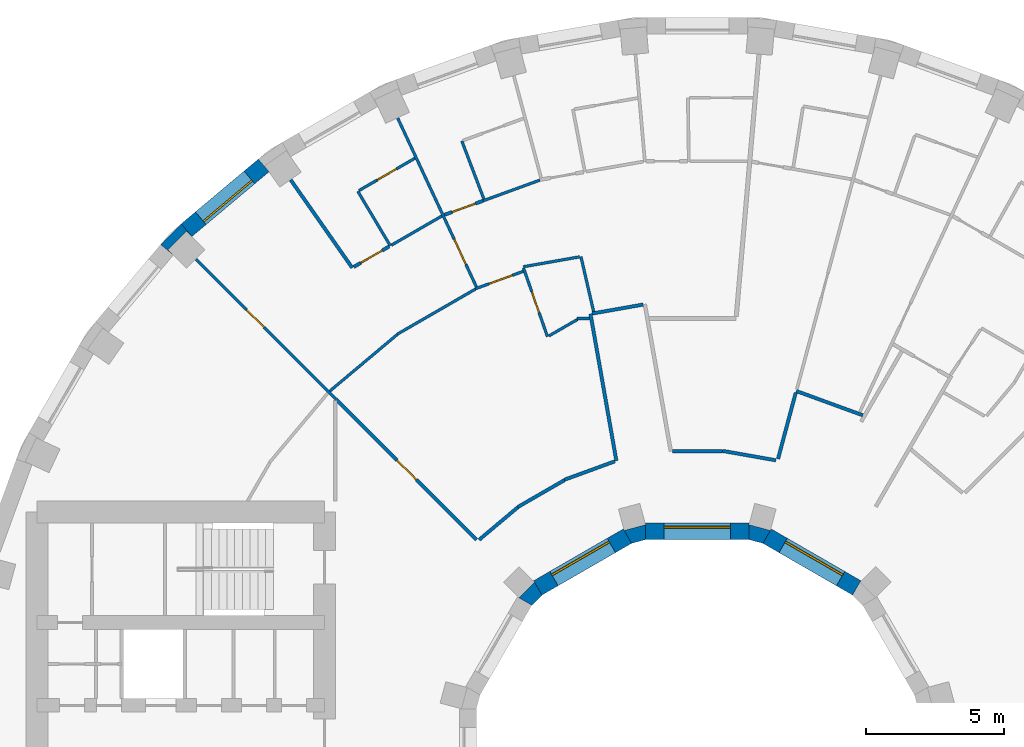
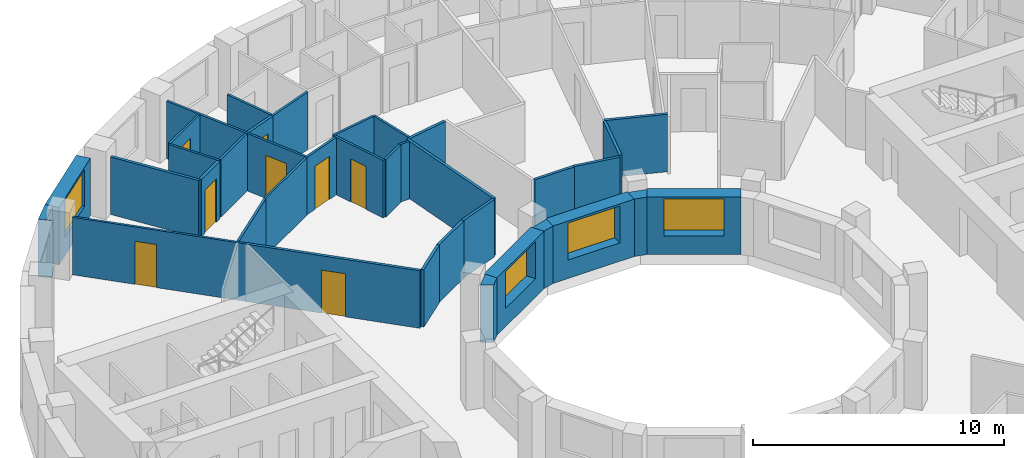
# One storey, part 11 of 16: 36 walls, 8 doors, 4 windows, 12 openings.
"""IFC4 building model written with IfcOpenShell, lengths in metres."""

import ifcopenshell
import ifcopenshell.guid

model = None  # the IFC model being written
_history = None  # IfcOwnerHistory: only IFC2X3 demands one
_inside = {}  # id of a spatial element -> (the spatial element, [elements in it])
_under = {}  # id of a project, library or spatial element -> (it, [spatial elements below it])
_declared = {}  # id of a project -> (the project, [libraries it declares])
_typed = {}  # id of a type object -> (the type object, [elements of that type])
_made_of = {}  # id of a material, layer set ... -> (it, [elements and type objects made of it])


def new_model(schema):
    """Start an empty IFC model of exactly this schema.

    Asked for "IFC4X3", IfcOpenShell would pick the latest addendum, in which some entities
    have other attributes; the version numbers below select the first issue.
    IFC2X3 requires an IfcOwnerHistory on every rooted entity: one is made here for all.
    """
    global model, _history
    if schema == "IFC4X3":
        model = ifcopenshell.file(schema_version=(4, 3, 0, 0))
    else:
        model = ifcopenshell.file(schema=schema)
    _inside.clear()
    _under.clear()
    _declared.clear()
    _typed.clear()
    _made_of.clear()
    _history = None
    if model.schema == "IFC2X3":
        org = make("IfcOrganization", Name="unknown")
        user = make(
            "IfcPersonAndOrganization",
            ThePerson=make("IfcPerson", FamilyName="unknown"),
            TheOrganization=org,
        )
        app = make(
            "IfcApplication",
            ApplicationDeveloper=org,
            Version="unknown",
            ApplicationFullName="unknown",
            ApplicationIdentifier="unknown",
        )
        _history = make(
            "IfcOwnerHistory",
            OwningUser=user,
            OwningApplication=app,
            ChangeAction="ADDED",
            CreationDate=0,
        )
    return model


def make(cls, **values):
    """One entity of the class cls with the attributes given. An attribute that is None is left unset."""
    return model.create_entity(
        cls, **{name: value for name, value in values.items() if value is not None}
    )


def rooted(cls, **values):
    """An entity with a GlobalId (a new one), such as an element, a storey or a relation."""
    return make(cls, GlobalId=ifcopenshell.guid.new(), OwnerHistory=_history, **values)


def si_unit(unit_type, name, prefix=None):
    """IfcSIUnit, for example si_unit("LENGTHUNIT", "METRE", prefix="MILLI")."""
    return make("IfcSIUnit", UnitType=unit_type, Prefix=prefix, Name=name)


def assignment(units):
    """IfcUnitAssignment: the units of a project."""
    return None if units is None else make("IfcUnitAssignment", Units=units)


def point(xyz):
    """IfcCartesianPoint."""
    return None if xyz is None else make("IfcCartesianPoint", Coordinates=xyz)


def direction(xyz):
    """IfcDirection."""
    return None if xyz is None else make("IfcDirection", DirectionRatios=xyz)


def frame(location, z_axis=None, x_axis=None):
    """IfcAxis2Placement3D, a coordinate frame: its origin and axes. An axis left out is left unset."""
    return make(
        "IfcAxis2Placement3D",
        Location=point(location),
        Axis=direction(z_axis),
        RefDirection=direction(x_axis),
    )


def frame_2d(location, x_axis=None):
    """IfcAxis2Placement2D, a coordinate frame in the plane: its origin and x axis."""
    return make(
        "IfcAxis2Placement2D", Location=point(location), RefDirection=direction(x_axis)
    )


def origin():
    """The frame at (0, 0, 0) with its axes left unset."""
    return frame((0.0, 0.0, 0.0))


def place(relative_to, where):
    """IfcLocalPlacement: puts the frame where relative to a parent placement (None: the world)."""
    return make(
        "IfcLocalPlacement", PlacementRelTo=relative_to, RelativePlacement=where
    )


def context(
    kind, dimensions, precision=None, world=None, true_north=None, identifier=None
):
    """IfcGeometricRepresentationContext, for example the 3D "Model" context."""
    return make(
        "IfcGeometricRepresentationContext",
        ContextIdentifier=identifier,
        ContextType=kind,
        CoordinateSpaceDimension=dimensions,
        Precision=precision,
        WorldCoordinateSystem=world,
        TrueNorth=true_north,
    )


def subcontext(parent, identifier, kind, view, scale=None):
    """IfcGeometricRepresentationSubContext, for example "Body" below "Model"."""
    return make(
        "IfcGeometricRepresentationSubContext",
        ContextIdentifier=identifier,
        ContextType=kind,
        ParentContext=parent,
        TargetScale=scale,
        TargetView=view,
    )


def project(units=None, contexts=None):
    """IfcProject with its units and contexts."""
    return rooted(
        "IfcProject",
        Name="project",
        RepresentationContexts=contexts,
        UnitsInContext=assignment(units),
    )


def spatial(cls, under=None, at=None, **own):
    """A site, building, storey or space (cls), placed at a placement, below another one or the project."""
    s = rooted(cls, ObjectPlacement=at, **own)
    if under is not None:
        _under.setdefault(under.id(), (under, []))[1].append(s)
    return s


def polyline(points):
    """IfcPolyline through the points."""
    return make("IfcPolyline", Points=[point(p) for p in points])


def profile(cls, at=None, kind="AREA", **sizes):
    """A parametric profile (cls). Its sizes go by their IFC names, for example OverallWidth=200.0."""
    return make(cls, ProfileType=kind, Position=at, **sizes)


def rectangle(**sizes):
    """IfcRectangleProfileDef."""
    return profile("IfcRectangleProfileDef", **sizes)


def outline(outer, holes=None, kind="AREA"):
    """IfcArbitraryClosedProfileDef: a profile drawn as a closed curve; with holes, ...WithVoids."""
    if holes is None:
        return make("IfcArbitraryClosedProfileDef", ProfileType=kind, OuterCurve=outer)
    return make(
        "IfcArbitraryProfileDefWithVoids",
        ProfileType=kind,
        OuterCurve=outer,
        InnerCurves=holes,
    )


def extrude(swept, where, along, depth):
    """IfcExtrudedAreaSolid: the profile swept, set in the frame where, extruded along a direction by depth."""
    return make(
        "IfcExtrudedAreaSolid",
        SweptArea=swept,
        Position=where,
        ExtrudedDirection=direction(along),
        Depth=depth,
    )


def shape(context_of_items, identifier, shape_type, items):
    """IfcShapeRepresentation: the items that make up one representation, for example the "Body"."""
    return make(
        "IfcShapeRepresentation",
        ContextOfItems=context_of_items,
        RepresentationIdentifier=identifier,
        RepresentationType=shape_type,
        Items=items,
    )


def material(Name=None, Category=None):
    """IfcMaterial."""
    return make("IfcMaterial", Name=Name, Category=Category)


def layer(
    of_material, thickness, ventilated=None, Name=None, Category=None, Priority=None
):
    """IfcMaterialLayer: one layer of a wall or slab, of a material (None: an air gap)."""
    return make(
        "IfcMaterialLayer",
        Material=of_material,
        LayerThickness=thickness,
        IsVentilated=ventilated,
        Name=Name,
        Category=Category,
        Priority=Priority,
    )


def layer_set(layers, Name=None):
    """IfcMaterialLayerSet."""
    return make("IfcMaterialLayerSet", MaterialLayers=layers, LayerSetName=Name)


def made_of(thing, what):
    """Note that an element or type object is made of a material, layer set ...; save() writes the relation."""
    if what is not None:
        _made_of.setdefault(what.id(), (what, []))[1].append(thing)
    return thing


def type_object(cls, material=None, **own):
    """A type object (cls), such as IfcWallType, which elements share."""
    return made_of(rooted(cls, **own), material)


def element(
    cls,
    number,
    at=None,
    inside=None,
    cuts=None,
    type_object=None,
    material=None,
    context=None,
    identifier="Body",
    shape_type=None,
    held_by="IfcProductDefinitionShape",
    body=None,
    shapes=None,
    **own,
):
    """One element of the class cls, such as IfcWall. Its Tag is "e" and its number.

    at: its placement. inside: the storey or other place that contains it. cuts: it is an
    opening in that element (IfcRelVoidsElement). A single representation is given by context,
    identifier, shape_type and body (its items); several are given by shapes. held_by: the class
    of the entity that holds the representations. save() writes the other relations.
    """
    e = rooted(cls, Tag="e%d" % number, ObjectPlacement=at, **own)
    if body is not None:
        shapes = [shape(context, identifier, shape_type, body)]
    if shapes is not None:
        e.Representation = make(held_by, Representations=shapes)
    if inside is not None:
        _inside.setdefault(inside.id(), (inside, []))[1].append(e)
    if cuts is not None:
        rooted(
            "IfcRelVoidsElement", RelatingBuildingElement=cuts, RelatedOpeningElement=e
        )
    if type_object is not None:
        _typed.setdefault(type_object.id(), (type_object, []))[1].append(e)
    return made_of(e, material)


def fill(opening, filler):
    """IfcRelFillsElement: the door or window that sits in an opening."""
    return rooted(
        "IfcRelFillsElement",
        RelatingOpeningElement=opening,
        RelatedBuildingElement=filler,
    )


def aggregate(whole, parts):
    """IfcRelAggregates: a whole, such as a stair, and the parts it consists of."""
    return rooted("IfcRelAggregates", RelatingObject=whole, RelatedObjects=parts)


def save(model, path):
    """Write the relations noted so far, then the file.

    IfcRelAggregates (storeys below a building ...), IfcRelContainedInSpatialStructure (elements
    in a storey), IfcRelDefinesByType, IfcRelAssociatesMaterial and IfcRelDeclares: one each for
    every whole, place, type object, material and project.
    """
    for whole, parts in _under.values():
        aggregate(whole, parts)
    for where, things in _inside.values():
        rooted(
            "IfcRelContainedInSpatialStructure",
            RelatedElements=things,
            RelatingStructure=where,
        )
    for kind, things in _typed.values():
        rooted("IfcRelDefinesByType", RelatedObjects=things, RelatingType=kind)
    for what, things in _made_of.values():
        rooted("IfcRelAssociatesMaterial", RelatedObjects=things, RelatingMaterial=what)
    for by, libraries in _declared.values():
        rooted("IfcRelDeclares", RelatingContext=by, RelatedDefinitions=libraries)
    model.write(path)


model = new_model("IFC4")

# Units and contexts
model_context = context("Model", 3, precision=1e-05, world=origin(), true_north=direction((0.0, 1.0)))
body_context = subcontext(model_context, "Body", "Model", "MODEL_VIEW")
ifc_project = project(units=[si_unit("LENGTHUNIT", "METRE"), si_unit("AREAUNIT", "SQUARE_METRE"), si_unit("VOLUMEUNIT", "CUBIC_METRE"), si_unit("PLANEANGLEUNIT", "RADIAN"), si_unit("MASSUNIT", "GRAM", prefix="KILO")], contexts=[model_context])

# Site, building, storey
site_placement = place(None, origin())
site = spatial("IfcSite", under=ifc_project, at=site_placement, CompositionType="ELEMENT")
building_placement = place(site_placement, origin())
building = spatial("IfcBuilding", under=site, at=building_placement, Name="Saqina Gate Tower", CompositionType="ELEMENT")
storey_placement = place(building_placement, frame((0.0, 0.0, 121.60009765625)))
storey = spatial("IfcBuildingStorey", under=building, at=storey_placement, Name="L34", CompositionType="ELEMENT", Elevation=121.60009765625)

# Wall
ifc_material_1 = material(Name="Brick masonry (buff)", Category="masonry")
wall_type_1 = type_object("IfcWallType", Name="BRICK PIER COPING BUFF", PredefinedType="SOLIDWALL", material=ifc_material_1)
wall_1_placement = place(storey_placement, origin())
element("IfcWall", 1, at=wall_1_placement, inside=storey, type_object=wall_type_1, Name="Pier cap L34 column 14", PredefinedType="SOLIDWALL", context=body_context, shape_type="SweptSolid", body=[
    extrude(outline(polyline([(-18.686279296875, 19.43212890625), (-19.43212890625, 18.686279296875), (-18.972412109375, 18.30078125), (-19.16259765625, 18.49072265625), (-18.49072265625, 19.16259765625), (-18.30078125, 18.972412109375), (-18.686279296875, 19.43212890625)])), origin(), (0.0, 0.0, 1.0), 2.7998046875),
])

# Wall, opening, window
ifc_material_2 = material(Name="Brick masonry (buff)", Category="masonry")
ifc_layer_1 = layer(ifc_material_2, 0.60009765625)
ifc_layer_set_1 = layer_set([ifc_layer_1], Name="FW-BRICK-BUFF")
wall_type_2 = type_object("IfcWallType", Name="FW-BRICK-BUFF", PredefinedType="SOLIDWALL", material=ifc_layer_set_1)
wall_2_placement = place(storey_placement, frame((-15.69921875, 21.547119140625, 0.0), z_axis=(0.0, 0.0, 1.0), x_axis=(-0.766055462616, -0.642774476932, 0.0)))
wall_2 = element("IfcWall", 2, at=wall_2_placement, inside=storey, type_object=wall_type_2, Name="Facade wall L34 facet 13", PredefinedType="SOLIDWALL", context=body_context, shape_type="SweptSolid", body=[
    extrude(rectangle(XDim=3.647705078125, YDim=0.60009765625, at=frame_2d((1.82373046875, 0.0))), origin(), (0.0, 0.0, 1.0), 2.7998046875),
])
opening_1_placement = place(wall_2_placement, frame((0.673828125, 0.0, 0.89990234375)))
opening_1 = element("IfcOpeningElement", 3, at=opening_1_placement, cuts=wall_2, Name="Opening G10-W11", PredefinedType="OPENING", context=body_context, shape_type="SweptSolid", body=[
    extrude(rectangle(XDim=2.300048828125, YDim=1.800048828125, at=frame_2d((1.14990234375, 0.89990234375))), frame((0.0, 0.31201171875, 0.0), z_axis=(0.0, -1.0, 0.0), x_axis=(1.0, 0.0, 0.0)), (0.0, 0.0, 1.0), 0.6240234375),
])
ifc_material_3 = material(Name="Aluminium glazing", Category="aluminium")
window_type_1 = type_object("IfcWindowType", Name="WN-B", PartitioningType="SINGLE_PANEL", PredefinedType="WINDOW", material=ifc_material_3)
window_1_placement = place(opening_1_placement, origin())
window_1 = element("IfcWindow", 4, at=window_1_placement, inside=storey, type_object=window_type_1, Name="Window L34 facet 13", OverallHeight=1.800048828125, OverallWidth=2.300048828125, PartitioningType="SINGLE_PANEL", PredefinedType="WINDOW", context=body_context, shape_type="SweptSolid", body=[
    extrude(rectangle(XDim=2.300048828125, YDim=1.800048828125, at=frame_2d((1.14990234375, 0.89990234375))), frame((0.0, 0.179931640625, 0.0), z_axis=(0.0, -1.0, 0.0), x_axis=(1.0, 0.0, 0.0)), (0.0, 0.0, 1.0), 0.06005859375),
])
fill(opening_1, window_1)

ifc_material_4 = material(Name="Glazed ceramic tile", Category="ceramic")
ifc_layer_2 = layer(ifc_material_4, 0.60009765625)
ifc_layer_set_2 = layer_set([ifc_layer_2], Name="IW-TILE")
wall_type_3 = type_object("IfcWallType", Name="IW-TILE", PredefinedType="SOLIDWALL", material=ifc_layer_set_2)
wall_3_placement = place(storey_placement, frame((5.772705078125, 6.251220703125, 0.0), z_axis=(0.0, 0.0, 1.0), x_axis=(-0.86604563398, 0.499964958637, 0.0)))
wall_3 = element("IfcWall", 5, at=wall_3_placement, inside=storey, type_object=wall_type_3, Name="Well wall L34 facet 2", PredefinedType="SOLIDWALL", context=body_context, shape_type="SweptSolid", body=[
    extrude(rectangle(XDim=3.747314453125, YDim=0.60009765625, at=frame_2d((1.87353515625, 0.0))), origin(), (0.0, 0.0, 1.0), 2.7998046875),
])
opening_2_placement = place(wall_3_placement, frame((0.673583984375, 0.0, 0.89990234375)))
opening_2 = element("IfcOpeningElement", 6, at=opening_2_placement, cuts=wall_3, Name="Opening G10-W24", PredefinedType="OPENING", context=body_context, shape_type="SweptSolid", body=[
    extrude(rectangle(XDim=2.39990234375, YDim=1.800048828125, at=frame_2d((1.199951171875, 0.89990234375))), frame((0.0, 0.31201171875, 0.0), z_axis=(0.0, -1.0, 0.0), x_axis=(1.0, 0.0, 0.0)), (0.0, 0.0, 1.0), 0.6240234375),
])
ifc_material_5 = material(Name="Aluminium glazing", Category="aluminium")
window_type_2 = type_object("IfcWindowType", Name="WN-W", PartitioningType="SINGLE_PANEL", PredefinedType="WINDOW", material=ifc_material_5)
window_2_placement = place(opening_2_placement, origin())
window_2 = element("IfcWindow", 7, at=window_2_placement, inside=storey, type_object=window_type_2, Name="Well window L34 facet 2", OverallHeight=1.800048828125, OverallWidth=2.39990234375, PartitioningType="SINGLE_PANEL", PredefinedType="WINDOW", context=body_context, shape_type="SweptSolid", body=[
    extrude(rectangle(XDim=2.39990234375, YDim=1.800048828125, at=frame_2d((1.199951171875, 0.89990234375))), frame((0.0, -0.119873046875, 0.0), z_axis=(0.0, -1.0, 0.0), x_axis=(1.0, 0.0, 0.0)), (0.0, 0.0, 1.0), 0.06005859375),
])
fill(opening_2, window_2)

wall_4_placement = place(storey_placement, frame((1.873779296875, 8.300048828125, 0.0), z_axis=(0.0, 0.0, 1.0), x_axis=(-1.0, 0.0, 0.0)))
wall_4 = element("IfcWall", 8, at=wall_4_placement, inside=storey, type_object=wall_type_3, Name="Well wall L34 facet 3", PredefinedType="SOLIDWALL", context=body_context, shape_type="SweptSolid", body=[
    extrude(rectangle(XDim=3.74755859375, YDim=0.60009765625, at=frame_2d((1.873779296875, 0.0))), origin(), (0.0, 0.0, 1.0), 2.7998046875),
])
opening_3_placement = place(wall_4_placement, frame((0.673583984375, 0.0, 0.89990234375)))
opening_3 = element("IfcOpeningElement", 9, at=opening_3_placement, cuts=wall_4, Name="Opening G10-W25", PredefinedType="OPENING", context=body_context, shape_type="SweptSolid", body=[
    extrude(rectangle(XDim=2.39990234375, YDim=1.800048828125, at=frame_2d((1.199951171875, 0.89990234375))), frame((0.0, 0.31201171875, 0.0), z_axis=(0.0, -1.0, 0.0), x_axis=(1.0, 0.0, 0.0)), (0.0, 0.0, 1.0), 0.6240234375),
])
window_3_placement = place(opening_3_placement, origin())
window_3 = element("IfcWindow", 10, at=window_3_placement, inside=storey, type_object=window_type_2, Name="Well window L34 facet 3", OverallHeight=1.800048828125, OverallWidth=2.39990234375, PartitioningType="SINGLE_PANEL", PredefinedType="WINDOW", context=body_context, shape_type="SweptSolid", body=[
    extrude(rectangle(XDim=2.39990234375, YDim=1.800048828125, at=frame_2d((1.199951171875, 0.89990234375))), frame((0.0, -0.119873046875, 0.0), z_axis=(0.0, -1.0, 0.0), x_axis=(1.0, 0.0, 0.0)), (0.0, 0.0, 1.0), 0.06005859375),
])
fill(opening_3, window_3)

wall_5_placement = place(storey_placement, frame((-2.52734375, 8.124755859375, 0.0), z_axis=(0.0, 0.0, 1.0), x_axis=(-0.86604563398, -0.499964958637, 0.0)))
wall_5 = element("IfcWall", 11, at=wall_5_placement, inside=storey, type_object=wall_type_3, Name="Well wall L34 facet 4", PredefinedType="SOLIDWALL", context=body_context, shape_type="SweptSolid", body=[
    extrude(rectangle(XDim=3.747314453125, YDim=0.60009765625, at=frame_2d((1.87353515625, 0.0))), origin(), (0.0, 0.0, 1.0), 2.7998046875),
])
opening_4_placement = place(wall_5_placement, frame((0.673583984375, 0.0, 0.89990234375)))
opening_4 = element("IfcOpeningElement", 12, at=opening_4_placement, cuts=wall_5, Name="Opening G10-W26", PredefinedType="OPENING", context=body_context, shape_type="SweptSolid", body=[
    extrude(rectangle(XDim=2.39990234375, YDim=1.800048828125, at=frame_2d((1.199951171875, 0.89990234375))), frame((0.0, 0.31201171875, 0.0), z_axis=(0.0, -1.0, 0.0), x_axis=(1.0, 0.0, 0.0)), (0.0, 0.0, 1.0), 0.6240234375),
])
window_4_placement = place(opening_4_placement, origin())
window_4 = element("IfcWindow", 13, at=window_4_placement, inside=storey, type_object=window_type_2, Name="Well window L34 facet 4", OverallHeight=1.800048828125, OverallWidth=2.39990234375, PartitioningType="SINGLE_PANEL", PredefinedType="WINDOW", context=body_context, shape_type="SweptSolid", body=[
    extrude(rectangle(XDim=2.39990234375, YDim=1.800048828125, at=frame_2d((1.199951171875, 0.89990234375))), frame((0.0, -0.119873046875, 0.0), z_axis=(0.0, -1.0, 0.0), x_axis=(1.0, 0.0, 0.0)), (0.0, 0.0, 1.0), 0.06005859375),
])
fill(opening_4, window_4)

# Wall
ifc_material_6 = material(Name="Gypsum board on steel studs, 100 mm", Category="steel")
ifc_layer_3 = layer(ifc_material_6, 0.10009765625)
ifc_layer_set_3 = layer_set([ifc_layer_3], Name="PARTITION 100")
wall_type_4 = type_object("IfcWallType", Name="PARTITION 100", PredefinedType="PARTITIONING", material=ifc_layer_set_3)
wall_6_placement = place(storey_placement, frame((-4.2119140625, 18.24609375, 0.0), z_axis=(0.0, 0.0, 1.0), x_axis=(0.224815815327, -0.974401277287, 0.0)))
element("IfcWall", 14, at=wall_6_placement, inside=storey, type_object=wall_type_4, Name="PARTITION PW3-06", PredefinedType="PARTITIONING", context=body_context, shape_type="SweptSolid", body=[
    extrude(rectangle(XDim=2.04052734375, YDim=0.10009765625, at=frame_2d((1.020263671875, 0.0))), origin(), (0.0, 0.0, 1.0), 2.7998046875),
])

# Wall, opening, door
wall_7_placement = place(storey_placement, frame((-6.2919921875, 17.8349609375, 0.0), z_axis=(0.0, 0.0, 1.0), x_axis=(0.329581778564, -0.944127031304, 0.0)))
wall_7 = element("IfcWall", 15, at=wall_7_placement, inside=storey, type_object=wall_type_4, Name="PARTITION PW3-09", PredefinedType="PARTITIONING", context=body_context, shape_type="SweptSolid", body=[
    extrude(rectangle(XDim=2.6318359375, YDim=0.10009765625, at=frame_2d((1.31591796875, 0.0))), origin(), (0.0, 0.0, 1.0), 2.7998046875),
])
opening_5_placement = place(wall_7_placement, frame((0.916015625, 0.0, 0.0)))
opening_5 = element("IfcOpeningElement", 16, at=opening_5_placement, cuts=wall_7, Name="Opening G10-D21", PredefinedType="OPENING", context=body_context, shape_type="SweptSolid", body=[
    extrude(rectangle(XDim=0.800048828125, YDim=2.10009765625, at=frame_2d((0.39990234375, 1.050048828125))), frame((0.0, 0.06201171875, 0.0), z_axis=(0.0, -1.0, 0.0), x_axis=(1.0, 0.0, 0.0)), (0.0, 0.0, 1.0), 0.1240234375),
])
ifc_material_7 = material(Name="Timber door leaf, 800 mm", Category="wood")
door_type_1 = type_object("IfcDoorType", Name="DOOR 800 TIMBER", OperationType="SINGLE_SWING_LEFT", PredefinedType="DOOR", material=ifc_material_7)
door_1_placement = place(opening_5_placement, frame((0.800048828125, 0.0, 0.0), z_axis=(0.0, 0.0, 1.0), x_axis=(-1.0, 0.0, 0.0)))
door_1 = element("IfcDoor", 17, at=door_1_placement, inside=storey, type_object=door_type_1, Name="DOOR G10-D21", OperationType="SINGLE_SWING_RIGHT", OverallHeight=2.10009765625, OverallWidth=0.800048828125, PredefinedType="DOOR", context=body_context, shape_type="SweptSolid", body=[
    extrude(rectangle(XDim=0.800048828125, YDim=2.10009765625, at=frame_2d((0.39990234375, 1.050048828125))), frame((0.0, 0.02490234375, 0.0), z_axis=(0.0, -1.0, 0.0), x_axis=(1.0, 0.0, 0.0)), (0.0, 0.0, 1.0), 0.050048828125),
])
fill(opening_5, door_1)

# Wall
wall_8_placement = place(storey_placement, frame((-8.52587890625, 22.43408203125, 0.0), z_axis=(0.0, 0.0, 1.0), x_axis=(0.355151387301, -0.934808799754, 0.0)))
element("IfcWall", 18, at=wall_8_placement, inside=storey, type_object=wall_type_4, Name="PARTITION PW3-10", PredefinedType="PARTITIONING", context=body_context, shape_type="SweptSolid", body=[
    extrude(rectangle(XDim=2.25, YDim=0.10009765625, at=frame_2d((1.125, 0.0))), origin(), (0.0, 0.0, 1.0), 2.7998046875),
])

# Wall, opening, door
wall_9_placement = place(storey_placement, frame((-10.846435546875, 23.26025390625, 0.0), z_axis=(0.0, 0.0, 1.0), x_axis=(0.422617898312, -0.906307956506, 0.0)))
wall_9 = element("IfcWall", 19, at=wall_9_placement, inside=storey, type_object=wall_type_4, Name="PARTITION PW3-13", PredefinedType="PARTITIONING", context=body_context, shape_type="SweptSolid", body=[
    extrude(rectangle(XDim=6.743896484375, YDim=0.10009765625, at=frame_2d((3.3720703125, 0.0))), origin(), (0.0, 0.0, 1.0), 2.7998046875),
])
opening_6_placement = place(wall_9_placement, frame((4.839111328125, 0.0, 0.0)))
opening_6 = element("IfcOpeningElement", 20, at=opening_6_placement, cuts=wall_9, Name="Opening G10-D24", PredefinedType="OPENING", context=body_context, shape_type="SweptSolid", body=[
    extrude(rectangle(XDim=1.0, YDim=2.10009765625, at=frame_2d((0.5, 1.050048828125))), frame((0.0, 0.06201171875, 0.0), z_axis=(0.0, -1.0, 0.0), x_axis=(1.0, 0.0, 0.0)), (0.0, 0.0, 1.0), 0.1240234375),
])
ifc_material_8 = material(Name="Timber door leaf, 1000 mm", Category="wood")
door_type_2 = type_object("IfcDoorType", Name="DOOR 1000 TIMBER", OperationType="SINGLE_SWING_LEFT", PredefinedType="DOOR", material=ifc_material_8)
door_2_placement = place(opening_6_placement, origin())
door_2 = element("IfcDoor", 21, at=door_2_placement, inside=storey, type_object=door_type_2, Name="DOOR G10-D24", OperationType="SINGLE_SWING_RIGHT", OverallHeight=2.10009765625, OverallWidth=1.0, PredefinedType="DOOR", context=body_context, shape_type="SweptSolid", body=[
    extrude(rectangle(XDim=1.0, YDim=2.10009765625, at=frame_2d((0.5, 1.050048828125))), frame((0.0, 0.02490234375, 0.0), z_axis=(0.0, -1.0, 0.0), x_axis=(1.0, 0.0, 0.0)), (0.0, 0.0, 1.0), 0.050048828125),
])
fill(opening_6, door_2)

# Wall
wall_10_placement = place(storey_placement, frame((-12.2919921875, 20.613037109375, 0.0), z_axis=(0.0, 0.0, 1.0), x_axis=(0.512043462342, -0.858959540766, 0.0)))
element("IfcWall", 22, at=wall_10_placement, inside=storey, type_object=wall_type_4, Name="PARTITION PW3-17", PredefinedType="PARTITIONING", context=body_context, shape_type="SweptSolid", body=[
    extrude(rectangle(XDim=2.300537109375, YDim=0.10009765625, at=frame_2d((1.150390625, 0.0))), origin(), (0.0, 0.0, 1.0), 2.7998046875),
])

# Wall, opening, door
wall_11_placement = place(storey_placement, frame((-18.14794921875, 18.14794921875, 0.0), z_axis=(0.0, 0.0, 1.0), x_axis=(0.707106781187, -0.707106781187, 0.0)))
wall_11 = element("IfcWall", 23, at=wall_11_placement, inside=storey, type_object=wall_type_4, Name="PARTITION PW3-26", PredefinedType="PARTITIONING", context=body_context, shape_type="SweptSolid", body=[
    extrude(rectangle(XDim=7.138671875, YDim=0.10009765625, at=frame_2d((3.5693359375, 0.0))), origin(), (0.0, 0.0, 1.0), 2.7998046875),
])
opening_7_placement = place(wall_11_placement, frame((2.57958984375, 0.0, 0.0)))
opening_7 = element("IfcOpeningElement", 24, at=opening_7_placement, cuts=wall_11, Name="Opening G10-D28", PredefinedType="OPENING", context=body_context, shape_type="SweptSolid", body=[
    extrude(rectangle(XDim=0.89990234375, YDim=2.10009765625, at=frame_2d((0.449951171875, 1.050048828125))), frame((0.0, 0.06201171875, 0.0), z_axis=(0.0, -1.0, 0.0), x_axis=(1.0, 0.0, 0.0)), (0.0, 0.0, 1.0), 0.1240234375),
])
ifc_material_9 = material(Name="Timber door leaf, 900 mm", Category="wood")
door_type_3 = type_object("IfcDoorType", Name="DOOR 900 TIMBER", OperationType="SINGLE_SWING_LEFT", PredefinedType="DOOR", material=ifc_material_9)
door_3_placement = place(opening_7_placement, frame((0.89990234375, 0.0, 0.0), z_axis=(0.0, 0.0, 1.0), x_axis=(-1.0, 0.0, 0.0)))
door_3 = element("IfcDoor", 25, at=door_3_placement, inside=storey, type_object=door_type_3, Name="DOOR G10-D28", OperationType="SINGLE_SWING_RIGHT", OverallHeight=2.10009765625, OverallWidth=0.89990234375, PredefinedType="DOOR", context=body_context, shape_type="SweptSolid", body=[
    extrude(rectangle(XDim=0.89990234375, YDim=2.10009765625, at=frame_2d((0.449951171875, 1.050048828125))), frame((0.0, 0.02490234375, 0.0), z_axis=(0.0, -1.0, 0.0), x_axis=(1.0, 0.0, 0.0)), (0.0, 0.0, 1.0), 0.050048828125),
])
fill(opening_7, door_3)

# Walls
wall_12_placement = place(storey_placement, frame((-4.345703125, 16.001953125, 0.0), z_axis=(0.0, 0.0, 1.0), x_axis=(1.0, 0.0, 0.0)))
element("IfcWall", 26, at=wall_12_placement, inside=storey, type_object=wall_type_4, Name="PARTITION PW3-54", PredefinedType="PARTITIONING", context=body_context, shape_type="SweptSolid", body=[
    extrude(rectangle(XDim=0.44677734375, YDim=0.10009765625, at=frame_2d((0.223388671875, 0.0))), origin(), (0.0, 0.0, 1.0), 2.7998046875),
])
wall_13_placement = place(storey_placement, frame((-6.300048828125, 17.8779296875, 0.0), z_axis=(0.0, 0.0, 1.0), x_axis=(0.984823916484, 0.173556485102, 0.0)))
element("IfcWall", 27, at=wall_13_placement, inside=storey, type_object=wall_type_4, Name="PARTITION PW3-60", PredefinedType="PARTITIONING", context=body_context, shape_type="SweptSolid", body=[
    extrude(rectangle(XDim=2.0693359375, YDim=0.10009765625, at=frame_2d((1.03466796875, 0.0))), origin(), (0.0, 0.0, 1.0), 2.7998046875),
])

# Wall, opening, door
wall_14_placement = place(storey_placement, frame((-8.022705078125, 17.085693359375, 0.0), z_axis=(0.0, 0.0, 1.0), x_axis=(0.93970385633, 0.341989272345, 0.0)))
wall_14 = element("IfcWall", 28, at=wall_14_placement, inside=storey, type_object=wall_type_4, Name="PARTITION PW3-65", PredefinedType="PARTITIONING", context=body_context, shape_type="SweptSolid", body=[
    extrude(rectangle(XDim=1.8310546875, YDim=0.10009765625, at=frame_2d((0.91552734375, 0.0))), origin(), (0.0, 0.0, 1.0), 2.7998046875),
])
opening_8_placement = place(wall_14_placement, frame((0.51611328125, 0.0, 0.0)))
opening_8 = element("IfcOpeningElement", 29, at=opening_8_placement, cuts=wall_14, Name="Opening G10-D22", PredefinedType="OPENING", context=body_context, shape_type="SweptSolid", body=[
    extrude(rectangle(XDim=0.89990234375, YDim=2.10009765625, at=frame_2d((0.449951171875, 1.050048828125))), frame((0.0, 0.06201171875, 0.0), z_axis=(0.0, -1.0, 0.0), x_axis=(1.0, 0.0, 0.0)), (0.0, 0.0, 1.0), 0.1240234375),
])
door_4_placement = place(opening_8_placement, frame((0.89990234375, 0.0, 0.0), z_axis=(0.0, 0.0, 1.0), x_axis=(-1.0, 0.0, 0.0)))
door_4 = element("IfcDoor", 30, at=door_4_placement, inside=storey, type_object=door_type_3, Name="DOOR G10-D22", OperationType="SINGLE_SWING_LEFT", OverallHeight=2.10009765625, OverallWidth=0.89990234375, PredefinedType="DOOR", context=body_context, shape_type="SweptSolid", body=[
    extrude(rectangle(XDim=0.89990234375, YDim=2.10009765625, at=frame_2d((0.449951171875, 1.050048828125))), frame((0.0, 0.02490234375, 0.0), z_axis=(0.0, -1.0, 0.0), x_axis=(1.0, 0.0, 0.0)), (0.0, 0.0, 1.0), 0.050048828125),
])
fill(opening_8, door_4)

# Walls
wall_15_placement = place(storey_placement, frame((-7.75927734375, 20.265380859375, 0.0), z_axis=(0.0, 0.0, 1.0), x_axis=(0.9397154993, 0.341957278581, 0.0)))
element("IfcWall", 31, at=wall_15_placement, inside=storey, type_object=wall_type_4, Name="PARTITION PW3-66", PredefinedType="PARTITIONING", context=body_context, shape_type="SweptSolid", body=[
    extrude(rectangle(XDim=2.196044921875, YDim=0.10009765625, at=frame_2d((1.09814453125, 0.0))), origin(), (0.0, 0.0, 1.0), 2.7998046875),
])
wall_16_placement = place(storey_placement, frame((-5.37158203125, 15.3740234375, 0.0), z_axis=(0.0, 0.0, 1.0), x_axis=(0.866111216017, 0.499851339389, 0.0)))
element("IfcWall", 32, at=wall_16_placement, inside=storey, type_object=wall_type_4, Name="PARTITION PW3-71", PredefinedType="PARTITIONING", context=body_context, shape_type="SweptSolid", body=[
    extrude(rectangle(XDim=1.202392578125, YDim=0.10009765625, at=frame_2d((0.60107421875, 0.0))), origin(), (0.0, 0.0, 1.0), 2.7998046875),
])
wall_17_placement = place(storey_placement, frame((-10.867919921875, 15.4326171875, 0.0), z_axis=(0.0, 0.0, 1.0), x_axis=(0.866020017222, 0.500009329683, 0.0)))
element("IfcWall", 33, at=wall_17_placement, inside=storey, type_object=wall_type_4, Name="PARTITION PW3-72", PredefinedType="PARTITIONING", context=body_context, shape_type="SweptSolid", body=[
    extrude(rectangle(XDim=3.29052734375, YDim=0.10009765625, at=frame_2d((1.645263671875, 0.0))), origin(), (0.0, 0.0, 1.0), 2.7998046875),
])
wall_18_placement = place(storey_placement, frame((-11.07080078125, 18.662109375, 0.0), z_axis=(0.0, 0.0, 1.0), x_axis=(0.865870655861, 0.50026793553, 0.0)))
element("IfcWall", 34, at=wall_18_placement, inside=storey, type_object=wall_type_4, Name="PARTITION PW3-73", PredefinedType="PARTITIONING", context=body_context, shape_type="SweptSolid", body=[
    extrude(rectangle(XDim=2.104736328125, YDim=0.10009765625, at=frame_2d((1.05224609375, 0.0))), origin(), (0.0, 0.0, 1.0), 2.7998046875),
])

# Wall, opening, door
wall_19_placement = place(storey_placement, frame((-12.248779296875, 20.637939453125, 0.0), z_axis=(0.0, 0.0, 1.0), x_axis=(0.866076057046, 0.499912255713, 0.0)))
wall_19 = element("IfcWall", 35, at=wall_19_placement, inside=storey, type_object=wall_type_4, Name="PARTITION PW3-74", PredefinedType="PARTITIONING", context=body_context, shape_type="SweptSolid", body=[
    extrude(rectangle(XDim=2.33837890625, YDim=0.10009765625, at=frame_2d((1.169189453125, 0.0))), origin(), (0.0, 0.0, 1.0), 2.7998046875),
])
opening_9_placement = place(wall_19_placement, frame((0.769287109375, 0.0, 0.0)))
opening_9 = element("IfcOpeningElement", 36, at=opening_9_placement, cuts=wall_19, Name="Opening G10-D25", PredefinedType="OPENING", context=body_context, shape_type="SweptSolid", body=[
    extrude(rectangle(XDim=0.800048828125, YDim=2.10009765625, at=frame_2d((0.39990234375, 1.050048828125))), frame((0.0, 0.06201171875, 0.0), z_axis=(0.0, -1.0, 0.0), x_axis=(1.0, 0.0, 0.0)), (0.0, 0.0, 1.0), 0.1240234375),
])
door_5_placement = place(opening_9_placement, origin())
door_5 = element("IfcDoor", 37, at=door_5_placement, inside=storey, type_object=door_type_1, Name="DOOR G10-D25", OperationType="SINGLE_SWING_RIGHT", OverallHeight=2.10009765625, OverallWidth=0.800048828125, PredefinedType="DOOR", context=body_context, shape_type="SweptSolid", body=[
    extrude(rectangle(XDim=0.800048828125, YDim=2.10009765625, at=frame_2d((0.39990234375, 1.050048828125))), frame((0.0, 0.02490234375, 0.0), z_axis=(0.0, -1.0, 0.0), x_axis=(1.0, 0.0, 0.0)), (0.0, 0.0, 1.0), 0.050048828125),
])
fill(opening_9, door_5)

# Walls
wall_20_placement = place(storey_placement, frame((-13.3056640625, 13.376220703125, 0.0), z_axis=(0.0, 0.0, 1.0), x_axis=(0.766146553843, 0.642665899232, 0.0)))
element("IfcWall", 38, at=wall_20_placement, inside=storey, type_object=wall_type_4, Name="PARTITION PW3-80", PredefinedType="PARTITIONING", context=body_context, shape_type="SweptSolid", body=[
    extrude(rectangle(XDim=3.189208984375, YDim=0.10009765625, at=frame_2d((1.5947265625, 0.0))), origin(), (0.0, 0.0, 1.0), 2.7998046875),
])
ifc_material_10 = material(Name="Gypsum board on steel studs, 125 mm, fire rated", Category="steel")
ifc_layer_4 = layer(ifc_material_10, 0.125)
ifc_layer_set_4 = layer_set([ifc_layer_4], Name="PARTITION EI 30 125")
wall_type_5 = type_object("IfcWallType", Name="PARTITION EI 30 125", PredefinedType="PARTITIONING", material=ifc_layer_set_4)
wall_21_placement = place(storey_placement, frame((-3.866943359375, 16.174072265625, 0.0), z_axis=(0.0, 0.0, 1.0), x_axis=(0.173602314867, -0.98481583876, 0.0)))
element("IfcWall", 39, at=wall_21_placement, inside=storey, type_object=wall_type_5, Name="PARTITION PW1-01", PredefinedType="PARTITIONING", context=body_context, shape_type="SweptSolid", body=[
    extrude(rectangle(XDim=5.403076171875, YDim=0.125, at=frame_2d((2.70166015625, 0.0))), origin(), (0.0, 0.0, 1.0), 2.7998046875),
])
wall_22_placement = place(storey_placement, frame((-14.720703125, 21.023681640625, 0.0), z_axis=(0.0, 0.0, 1.0), x_axis=(0.573453908861, -0.819237825306, 0.0)))
element("IfcWall", 40, at=wall_22_placement, inside=storey, type_object=wall_type_5, Name="PARTITION PW1-05", PredefinedType="PARTITIONING", context=body_context, shape_type="SweptSolid", body=[
    extrude(rectangle(XDim=3.884765625, YDim=0.125, at=frame_2d((1.9423828125, 0.0))), origin(), (0.0, 0.0, 1.0), 2.7998046875),
])

# Wall, opening, door
wall_23_placement = place(storey_placement, frame((-13.0859375, 13.0859375, 0.0), z_axis=(0.0, 0.0, 1.0), x_axis=(0.707208486583, -0.707005061159, 0.0)))
wall_23 = element("IfcWall", 41, at=wall_23_placement, inside=storey, type_object=wall_type_5, Name="PARTITION PW1-10", PredefinedType="PARTITIONING", context=body_context, shape_type="SweptSolid", body=[
    extrude(rectangle(XDim=7.200927734375, YDim=0.125, at=frame_2d((3.6005859375, 0.0))), origin(), (0.0, 0.0, 1.0), 2.7998046875),
])
opening_10_placement = place(wall_23_placement, frame((3.12646484375, 0.0, 0.0)))
opening_10 = element("IfcOpeningElement", 42, at=opening_10_placement, cuts=wall_23, Name="Opening G10-D27", PredefinedType="OPENING", context=body_context, shape_type="SweptSolid", body=[
    extrude(rectangle(XDim=1.0, YDim=2.10009765625, at=frame_2d((0.5, 1.050048828125))), frame((0.0, 0.074462890625, 0.0), z_axis=(0.0, -1.0, 0.0), x_axis=(1.0, 0.0, 0.0)), (0.0, 0.0, 1.0), 0.14892578125),
])
ifc_material_11 = material(Name="Fire door leaf EI 30, 1000 mm")
door_type_4 = type_object("IfcDoorType", Name="DOOR 1000 EI 30", OperationType="SINGLE_SWING_LEFT", PredefinedType="DOOR", material=ifc_material_11)
door_6_placement = place(opening_10_placement, origin())
door_6 = element("IfcDoor", 43, at=door_6_placement, inside=storey, type_object=door_type_4, Name="DOOR G10-D27", OperationType="SINGLE_SWING_RIGHT", OverallHeight=2.10009765625, OverallWidth=1.0, PredefinedType="DOOR", context=body_context, shape_type="SweptSolid", body=[
    extrude(rectangle(XDim=1.0, YDim=2.10009765625, at=frame_2d((0.5, 1.050048828125))), frame((0.0, 0.02490234375, 0.0), z_axis=(0.0, -1.0, 0.0), x_axis=(1.0, 0.0, 0.0)), (0.0, 0.0, 1.0), 0.050048828125),
])
fill(opening_10, door_6)

# Walls
wall_24_placement = place(storey_placement, frame((3.585205078125, 13.378662109375, 0.0), z_axis=(0.0, 0.0, 1.0), x_axis=(0.939651552045, -0.342132957691, 0.0)))
element("IfcWall", 44, at=wall_24_placement, inside=storey, type_object=wall_type_5, Name="PARTITION PW1-22", PredefinedType="PARTITIONING", context=body_context, shape_type="SweptSolid", body=[
    extrude(rectangle(XDim=2.56396484375, YDim=0.125, at=frame_2d((1.281982421875, 0.0))), origin(), (0.0, 0.0, 1.0), 2.7998046875),
])
wall_25_placement = place(storey_placement, frame((0.91748046875, 11.2109375, 0.0), z_axis=(0.0, 0.0, 1.0), x_axis=(0.984842502131, -0.173450990183, 0.0)))
element("IfcWall", 45, at=wall_25_placement, inside=storey, type_object=wall_type_5, Name="PARTITION PW1-25", PredefinedType="PARTITIONING", context=body_context, shape_type="SweptSolid", body=[
    extrude(rectangle(XDim=1.9580078125, YDim=0.125, at=frame_2d((0.97900390625, 0.0))), origin(), (0.0, 0.0, 1.0), 2.7998046875),
])
wall_26_placement = place(storey_placement, frame((-0.896484375, 11.199951171875, 0.0), z_axis=(0.0, 0.0, 1.0), x_axis=(1.0, 0.0, 0.0)))
element("IfcWall", 46, at=wall_26_placement, inside=storey, type_object=wall_type_5, Name="PARTITION PW1-29", PredefinedType="PARTITIONING", context=body_context, shape_type="SweptSolid", body=[
    extrude(rectangle(XDim=1.81396484375, YDim=0.125, at=frame_2d((0.906982421875, 0.0))), origin(), (0.0, 0.0, 1.0), 2.7998046875),
])
wall_27_placement = place(storey_placement, frame((-3.805419921875, 16.184814453125, 0.0), z_axis=(0.0, 0.0, 1.0), x_axis=(0.984829460828, 0.173525021494, 0.0)))
element("IfcWall", 47, at=wall_27_placement, inside=storey, type_object=wall_type_5, Name="PARTITION PW1-33", PredefinedType="PARTITIONING", context=body_context, shape_type="SweptSolid", body=[
    extrude(rectangle(XDim=1.87255859375, YDim=0.125, at=frame_2d((0.936279296875, 0.0))), origin(), (0.0, 0.0, 1.0), 2.7998046875),
])
wall_28_placement = place(storey_placement, frame((-4.810546875, 10.167236328125, 0.0), z_axis=(0.0, 0.0, 1.0), x_axis=(0.939506513074, 0.34253103785, 0.0)))
element("IfcWall", 48, at=wall_28_placement, inside=storey, type_object=wall_type_5, Name="PARTITION PW1-37", PredefinedType="PARTITIONING", context=body_context, shape_type="SweptSolid", body=[
    extrude(rectangle(XDim=1.940185546875, YDim=0.125, at=frame_2d((0.97021484375, 0.0))), origin(), (0.0, 0.0, 1.0), 2.7998046875),
])

# Wall, opening, door
wall_29_placement = place(storey_placement, frame((-9.157958984375, 19.757080078125, 0.0), z_axis=(0.0, 0.0, 1.0), x_axis=(0.939793423488, 0.341743063087, 0.0)))
wall_29 = element("IfcWall", 49, at=wall_29_placement, inside=storey, type_object=wall_type_5, Name="PARTITION PW1-38", PredefinedType="PARTITIONING", context=body_context, shape_type="SweptSolid", body=[
    extrude(rectangle(XDim=1.49169921875, YDim=0.125, at=frame_2d((0.745849609375, 0.0))), origin(), (0.0, 0.0, 1.0), 2.7998046875),
])
opening_11_placement = place(wall_29_placement, frame((0.2958984375, 0.0, 0.0)))
opening_11 = element("IfcOpeningElement", 50, at=opening_11_placement, cuts=wall_29, Name="Opening G10-D23", PredefinedType="OPENING", context=body_context, shape_type="SweptSolid", body=[
    extrude(rectangle(XDim=0.89990234375, YDim=2.10009765625, at=frame_2d((0.449951171875, 1.050048828125))), frame((0.0, 0.074462890625, 0.0), z_axis=(0.0, -1.0, 0.0), x_axis=(1.0, 0.0, 0.0)), (0.0, 0.0, 1.0), 0.14892578125),
])
ifc_material_12 = material(Name="Fire door leaf EI 30, 900 mm")
door_type_5 = type_object("IfcDoorType", Name="DOOR 900 EI 30", OperationType="SINGLE_SWING_LEFT", PredefinedType="DOOR", material=ifc_material_12)
door_7_placement = place(opening_11_placement, frame((0.89990234375, 0.0, 0.0), z_axis=(0.0, 0.0, 1.0), x_axis=(-1.0, 0.0, 0.0)))
door_7 = element("IfcDoor", 51, at=door_7_placement, inside=storey, type_object=door_type_5, Name="DOOR G10-D23", OperationType="SINGLE_SWING_RIGHT", OverallHeight=2.10009765625, OverallWidth=0.89990234375, PredefinedType="DOOR", context=body_context, shape_type="SweptSolid", body=[
    extrude(rectangle(XDim=0.89990234375, YDim=2.10009765625, at=frame_2d((0.449951171875, 1.050048828125))), frame((0.0, 0.02490234375, 0.0), z_axis=(0.0, -1.0, 0.0), x_axis=(1.0, 0.0, 0.0)), (0.0, 0.0, 1.0), 0.050048828125),
])
fill(opening_11, door_7)

# Wall
wall_30_placement = place(storey_placement, frame((-6.50244140625, 9.176513671875, 0.0), z_axis=(0.0, 0.0, 1.0), x_axis=(0.866328596722, 0.499474486338, 0.0)))
element("IfcWall", 52, at=wall_30_placement, inside=storey, type_object=wall_type_5, Name="PARTITION PW1-41", PredefinedType="PARTITIONING", context=body_context, shape_type="SweptSolid", body=[
    extrude(rectangle(XDim=1.96044921875, YDim=0.125, at=frame_2d((0.980224609375, 0.0))), origin(), (0.0, 0.0, 1.0), 2.7998046875),
])

# Wall, opening, door
wall_31_placement = place(storey_placement, frame((-12.435302734375, 17.874267578125, 0.0), z_axis=(0.0, 0.0, 1.0), x_axis=(0.866056109487, 0.499946812391, 0.0)))
wall_31 = element("IfcWall", 53, at=wall_31_placement, inside=storey, type_object=wall_type_5, Name="PARTITION PW1-42", PredefinedType="PARTITIONING", context=body_context, shape_type="SweptSolid", body=[
    extrude(rectangle(XDim=1.475830078125, YDim=0.125, at=frame_2d((0.73779296875, 0.0))), origin(), (0.0, 0.0, 1.0), 2.7998046875),
])
opening_12_placement = place(wall_31_placement, frame((0.292724609375, 0.0, 0.0)))
opening_12 = element("IfcOpeningElement", 54, at=opening_12_placement, cuts=wall_31, Name="Opening G10-D26", PredefinedType="OPENING", context=body_context, shape_type="SweptSolid", body=[
    extrude(rectangle(XDim=0.89990234375, YDim=2.10009765625, at=frame_2d((0.449951171875, 1.050048828125))), frame((0.0, 0.074462890625, 0.0), z_axis=(0.0, -1.0, 0.0), x_axis=(1.0, 0.0, 0.0)), (0.0, 0.0, 1.0), 0.14892578125),
])
door_8_placement = place(opening_12_placement, frame((0.89990234375, 0.0, 0.0), z_axis=(0.0, 0.0, 1.0), x_axis=(-1.0, 0.0, 0.0)))
door_8 = element("IfcDoor", 55, at=door_8_placement, inside=storey, type_object=door_type_5, Name="DOOR G10-D26", OperationType="SINGLE_SWING_LEFT", OverallHeight=2.10009765625, OverallWidth=0.89990234375, PredefinedType="DOOR", context=body_context, shape_type="SweptSolid", body=[
    extrude(rectangle(XDim=0.89990234375, YDim=2.10009765625, at=frame_2d((0.449951171875, 1.050048828125))), frame((0.0, 0.02490234375, 0.0), z_axis=(0.0, -1.0, 0.0), x_axis=(1.0, 0.0, 0.0)), (0.0, 0.0, 1.0), 0.050048828125),
])
fill(opening_12, door_8)

# Walls
wall_32_placement = place(storey_placement, frame((-7.902099609375, 7.990234375, 0.0), z_axis=(0.0, 0.0, 1.0), x_axis=(0.765904046375, 0.642954890911, 0.0)))
element("IfcWall", 56, at=wall_32_placement, inside=storey, type_object=wall_type_5, Name="PARTITION PW1-46", PredefinedType="PARTITIONING", context=body_context, shape_type="SweptSolid", body=[
    extrude(rectangle(XDim=1.834716796875, YDim=0.125, at=frame_2d((0.91748046875, 0.0))), origin(), (0.0, 0.0, 1.0), 2.7998046875),
])
wall_33_placement = place(storey_placement, frame((2.92333984375, 10.9208984375, 0.0), z_axis=(0.0, 0.0, 1.0), x_axis=(0.258837674225, 0.965920834438, 0.0)))
element("IfcWall", 57, at=wall_33_placement, inside=storey, type_object=wall_type_5, Name="PARTITION PW1-55", PredefinedType="PARTITIONING", context=body_context, shape_type="SweptSolid", body=[
    extrude(rectangle(XDim=2.482666015625, YDim=0.125, at=frame_2d((1.2412109375, 0.0))), origin(), (0.0, 0.0, 1.0), 2.7998046875),
])
ifc_material_13 = material(Name="Glazed ceramic tile", Category="ceramic")
wall_type_6 = type_object("IfcWallType", Name="TILE PIER COPING", PredefinedType="SOLIDWALL", material=ifc_material_13)
wall_34_placement = place(storey_placement, origin())
element("IfcWall", 58, at=wall_34_placement, inside=storey, type_object=wall_type_6, Name="Well pier cap L34 column 3", PredefinedType="SOLIDWALL", context=body_context, shape_type="SweptSolid", body=[
    extrude(outline(polyline([(1.873779296875, 8.5380859375), (1.873779296875, 8.0), (2.377197265625, 7.864990234375), (2.646484375, 8.3310546875), (1.873779296875, 8.5380859375)])), origin(), (0.0, 0.0, 1.0), 2.7998046875),
])
wall_35_placement = place(storey_placement, origin())
element("IfcWall", 59, at=wall_35_placement, inside=storey, type_object=wall_type_6, Name="Well pier cap L34 column 4", PredefinedType="SOLIDWALL", context=body_context, shape_type="SweptSolid", body=[
    extrude(outline(polyline([(-2.646484375, 8.3310546875), (-2.377197265625, 7.864990234375), (-1.873779296875, 8.0), (-1.873779296875, 8.5380859375), (-2.646484375, 8.3310546875)])), origin(), (0.0, 0.0, 1.0), 2.7998046875),
])
wall_36_placement = place(storey_placement, origin())
element("IfcWall", 60, at=wall_36_placement, inside=storey, type_object=wall_type_6, Name="Well pier cap L34 column 5", PredefinedType="SOLIDWALL", context=body_context, shape_type="SweptSolid", body=[
    extrude(outline(polyline([(-6.45751953125, 5.891845703125), (-5.991455078125, 5.622802734375), (-5.622802734375, 5.991455078125), (-5.891845703125, 6.45751953125), (-6.45751953125, 5.891845703125)])), origin(), (0.0, 0.0, 1.0), 2.7998046875),
])

save(model, "model.ifc")
